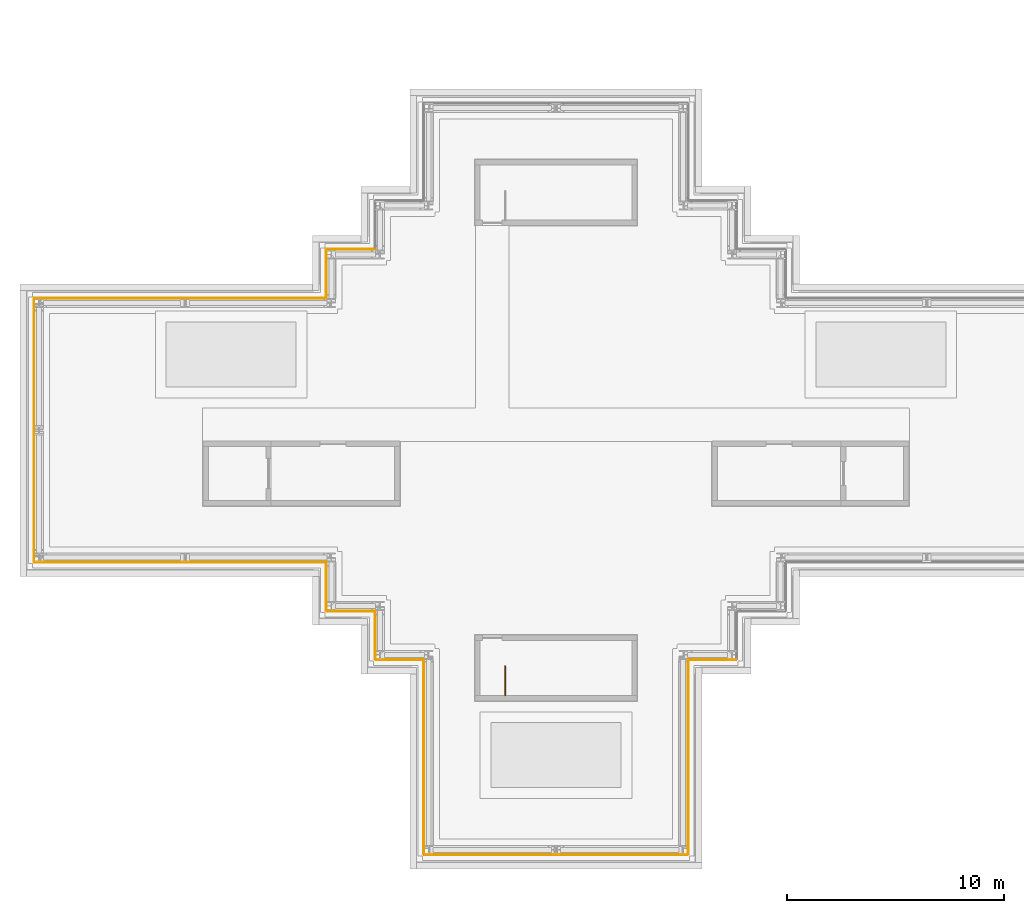
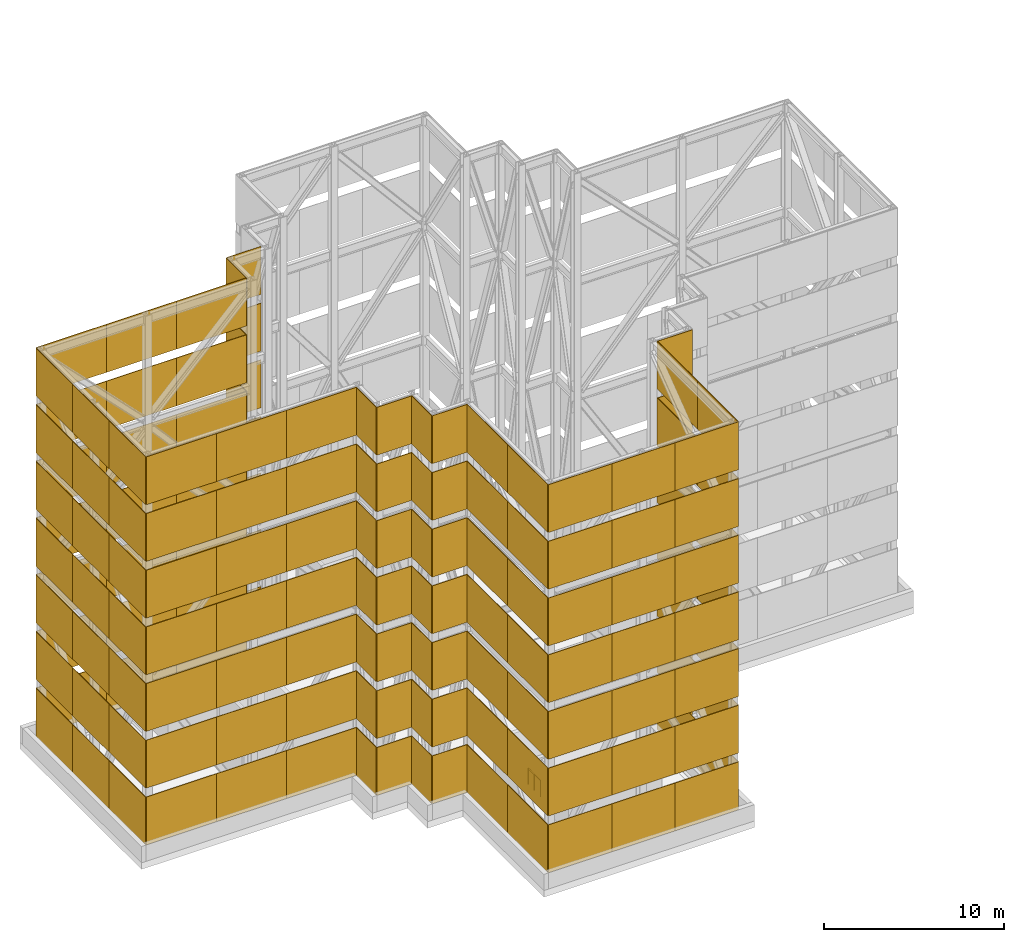
# One storey, part 12 of 19: 161 coverings, 1 railing.
"""IFC4 building model written with IfcOpenShell, lengths in metres."""

from ifc_helpers import new_model, si_unit, direction, frame, origin, origin_2d, place, context, subcontext, project, spatial, rectangle, circle, extrude, material, layer, layer_set, type_object, element, save


model = new_model("IFC4")

# Units and contexts
model_context = context("Model", 3, precision=1e-05, world=origin(), true_north=direction((0.0, 1.0)))
body_context = subcontext(model_context, "Body", "Model", "MODEL_VIEW")
ifc_project = project(units=[si_unit("LENGTHUNIT", "METRE"), si_unit("AREAUNIT", "SQUARE_METRE"), si_unit("VOLUMEUNIT", "CUBIC_METRE"), si_unit("PLANEANGLEUNIT", "RADIAN"), si_unit("MASSUNIT", "GRAM", prefix="KILO")], contexts=[model_context])

# Site, building, storey
site_placement = place(None, origin())
site = spatial("IfcSite", under=ifc_project, at=site_placement, CompositionType="ELEMENT")
building_placement = place(site_placement, origin())
building = spatial("IfcBuilding", under=site, at=building_placement, Name="Shamsa Quay Exchange Towers", CompositionType="ELEMENT")
storey_placement = place(building_placement, frame((0.0, 0.0, 284.300048828125)))
storey = spatial("IfcBuildingStorey", under=building, at=storey_placement, Name="Roof", CompositionType="ELEMENT", Elevation=284.300048828125)

# Coverings
ifc_material_1 = material(Name="Aluminium EN AW-5083, dark bronze anodised, perforated", Category="aluminium")
ifc_layer = layer(ifc_material_1, 0.0400390625)
ifc_layer_set = layer_set([ifc_layer], Name="CROWN SCREEN PANEL 40")
covering_type = type_object("IfcCoveringType", Name="CROWN SCREEN PANEL 40", PredefinedType="CLADDING", material=ifc_layer_set)
for number, where, z_axis, x_axis, name in (
    (1, (-42.10302734375, -9.47900390625, 0.60009765625), (0.0, 0.0, 1.0), (0.0, -1.0, 0.0), "SCREEN T1 CR00 tier 1"),
    (2, (-42.10302734375, -9.47900390625, 4.44287109375), (0.0, 0.0, 1.0), (0.0, -1.0, 0.0), "SCREEN T1 CR00 tier 2"),
    (3, (-42.10302734375, -9.47900390625, 8.28564453125), (0.0, 0.0, 1.0), (0.0, -1.0, 0.0), "SCREEN T1 CR00 tier 3"),
    (4, (-42.10302734375, -9.47900390625, 12.12841796875), (0.0, 0.0, 1.0), (0.0, -1.0, 0.0), "SCREEN T1 CR00 tier 4"),
    (5, (-42.10302734375, -9.47900390625, 15.97119140625), (0.0, 0.0, 1.0), (0.0, -1.0, 0.0), "SCREEN T1 CR00 tier 5"),
    (6, (-42.10302734375, -9.47900390625, 19.81396484375), (0.0, 0.0, 1.0), (0.0, -1.0, 0.0), "SCREEN T1 CR00 tier 6"),
    (7, (-42.10302734375, -9.47900390625, 23.6572265625), (0.0, 0.0, 1.0), (0.0, -1.0, 0.0), "SCREEN T1 CR00 tier 7"),
):
    element("IfcCovering", number, at=place(storey_placement, frame(where, z_axis=z_axis, x_axis=x_axis)), inside=storey, type_object=covering_type, Name=name, PredefinedType="CLADDING", context=body_context, shape_type="SweptSolid", body=[
        extrude(rectangle(XDim=2.2080078125, YDim=0.0400390625, at=origin_2d()), origin(), (0.0, 0.0, 1.0), 3.242919921875),
    ])
for number, where, name in (
    (8, (-40.9580078125, -10.60302734375, 0.60009765625), "SCREEN T1 CR01 tier 1"),
    (9, (-40.9580078125, -10.60302734375, 4.44287109375), "SCREEN T1 CR01 tier 2"),
    (10, (-40.9580078125, -10.60302734375, 8.28564453125), "SCREEN T1 CR01 tier 3"),
    (11, (-40.9580078125, -10.60302734375, 12.12841796875), "SCREEN T1 CR01 tier 4"),
    (12, (-40.9580078125, -10.60302734375, 15.97119140625), "SCREEN T1 CR01 tier 5"),
    (13, (-40.9580078125, -10.60302734375, 19.81396484375), "SCREEN T1 CR01 tier 6"),
    (14, (-40.9580078125, -10.60302734375, 23.6572265625), "SCREEN T1 CR01 tier 7"),
):
    element("IfcCovering", number, at=place(storey_placement, frame(where)), inside=storey, type_object=covering_type, Name=name, PredefinedType="CLADDING", context=body_context, shape_type="SweptSolid", body=[
        extrude(rectangle(XDim=2.25, YDim=0.0400390625, at=origin_2d()), origin(), (0.0, 0.0, 1.0), 3.242919921875),
    ])
for number, where, z_axis, x_axis, name in (
    (15, (-39.85302734375, -12.864501953125, 0.60009765625), (0.0, 0.0, 1.0), (0.0, -1.0, 0.0), "SCREEN T1 CR02 tier 1"),
    (16, (-39.85302734375, -17.343505859375, 0.60009765625), (0.0, 0.0, 1.0), (0.0, -1.0, 0.0), "SCREEN T1 CR02 tier 1"),
    (17, (-39.85302734375, -12.864501953125, 4.44287109375), (0.0, 0.0, 1.0), (0.0, -1.0, 0.0), "SCREEN T1 CR02 tier 2"),
    (18, (-39.85302734375, -17.343505859375, 4.44287109375), (0.0, 0.0, 1.0), (0.0, -1.0, 0.0), "SCREEN T1 CR02 tier 2"),
    (19, (-39.85302734375, -12.864501953125, 8.28564453125), (0.0, 0.0, 1.0), (0.0, -1.0, 0.0), "SCREEN T1 CR02 tier 3"),
    (20, (-39.85302734375, -17.343505859375, 8.28564453125), (0.0, 0.0, 1.0), (0.0, -1.0, 0.0), "SCREEN T1 CR02 tier 3"),
    (21, (-39.85302734375, -12.864501953125, 12.12841796875), (0.0, 0.0, 1.0), (0.0, -1.0, 0.0), "SCREEN T1 CR02 tier 4"),
    (22, (-39.85302734375, -17.343505859375, 12.12841796875), (0.0, 0.0, 1.0), (0.0, -1.0, 0.0), "SCREEN T1 CR02 tier 4"),
    (23, (-39.85302734375, -12.864501953125, 15.97119140625), (0.0, 0.0, 1.0), (0.0, -1.0, 0.0), "SCREEN T1 CR02 tier 5"),
    (24, (-39.85302734375, -17.343505859375, 15.97119140625), (0.0, 0.0, 1.0), (0.0, -1.0, 0.0), "SCREEN T1 CR02 tier 5"),
    (25, (-39.85302734375, -12.864501953125, 19.81396484375), (0.0, 0.0, 1.0), (0.0, -1.0, 0.0), "SCREEN T1 CR02 tier 6"),
    (26, (-39.85302734375, -17.343505859375, 19.81396484375), (0.0, 0.0, 1.0), (0.0, -1.0, 0.0), "SCREEN T1 CR02 tier 6"),
    (27, (-39.85302734375, -12.864501953125, 23.6572265625), (0.0, 0.0, 1.0), (0.0, -1.0, 0.0), "SCREEN T1 CR02 tier 7"),
    (28, (-39.85302734375, -17.343505859375, 23.6572265625), (0.0, 0.0, 1.0), (0.0, -1.0, 0.0), "SCREEN T1 CR02 tier 7"),
):
    element("IfcCovering", number, at=place(storey_placement, frame(where, z_axis=z_axis, x_axis=x_axis)), inside=storey, type_object=covering_type, Name=name, PredefinedType="CLADDING", context=body_context, shape_type="SweptSolid", body=[
        extrude(rectangle(XDim=4.47900390625, YDim=0.0400390625, at=origin_2d()), origin(), (0.0, 0.0, 1.0), 3.242919921875),
    ])
for number, where, name in (
    (29, (-37.805419921875, -19.60302734375, 0.60009765625), "SCREEN T1 CR03 tier 1"),
    (30, (-33.75, -19.60302734375, 0.60009765625), "SCREEN T1 CR03 tier 1"),
    (31, (-29.694580078125, -19.60302734375, 0.60009765625), "SCREEN T1 CR03 tier 1"),
    (32, (-37.805419921875, -19.60302734375, 4.44287109375), "SCREEN T1 CR03 tier 2"),
    (33, (-33.75, -19.60302734375, 4.44287109375), "SCREEN T1 CR03 tier 2"),
    (34, (-29.694580078125, -19.60302734375, 4.44287109375), "SCREEN T1 CR03 tier 2"),
    (35, (-37.805419921875, -19.60302734375, 8.28564453125), "SCREEN T1 CR03 tier 3"),
    (36, (-33.75, -19.60302734375, 8.28564453125), "SCREEN T1 CR03 tier 3"),
    (37, (-29.694580078125, -19.60302734375, 8.28564453125), "SCREEN T1 CR03 tier 3"),
    (38, (-37.805419921875, -19.60302734375, 12.12841796875), "SCREEN T1 CR03 tier 4"),
    (39, (-33.75, -19.60302734375, 12.12841796875), "SCREEN T1 CR03 tier 4"),
    (40, (-29.694580078125, -19.60302734375, 12.12841796875), "SCREEN T1 CR03 tier 4"),
    (41, (-37.805419921875, -19.60302734375, 15.97119140625), "SCREEN T1 CR03 tier 5"),
    (42, (-33.75, -19.60302734375, 15.97119140625), "SCREEN T1 CR03 tier 5"),
    (43, (-29.694580078125, -19.60302734375, 15.97119140625), "SCREEN T1 CR03 tier 5"),
    (44, (-37.805419921875, -19.60302734375, 19.81396484375), "SCREEN T1 CR03 tier 6"),
    (45, (-33.75, -19.60302734375, 19.81396484375), "SCREEN T1 CR03 tier 6"),
    (46, (-29.694580078125, -19.60302734375, 19.81396484375), "SCREEN T1 CR03 tier 6"),
    (47, (-37.805419921875, -19.60302734375, 23.6572265625), "SCREEN T1 CR03 tier 7"),
    (48, (-33.75, -19.60302734375, 23.6572265625), "SCREEN T1 CR03 tier 7"),
    (49, (-29.694580078125, -19.60302734375, 23.6572265625), "SCREEN T1 CR03 tier 7"),
):
    element("IfcCovering", number, at=place(storey_placement, frame(where)), inside=storey, type_object=covering_type, Name=name, PredefinedType="CLADDING", context=body_context, shape_type="SweptSolid", body=[
        extrude(rectangle(XDim=4.055419921875, YDim=0.0400390625, at=origin_2d()), origin(), (0.0, 0.0, 1.0), 3.242919921875),
    ])
for number, where, z_axis, x_axis, name in (
    (50, (-27.64697265625, -17.3330078125, 0.60009765625), (0.0, 0.0, 1.0), (0.0, 1.0, 0.0), "SCREEN T1 CR04 tier 1"),
    (51, (-27.64697265625, -12.8330078125, 0.60009765625), (0.0, 0.0, 1.0), (0.0, 1.0, 0.0), "SCREEN T1 CR04 tier 1"),
    (52, (-27.64697265625, -17.3330078125, 4.44287109375), (0.0, 0.0, 1.0), (0.0, 1.0, 0.0), "SCREEN T1 CR04 tier 2"),
    (53, (-27.64697265625, -12.8330078125, 4.44287109375), (0.0, 0.0, 1.0), (0.0, 1.0, 0.0), "SCREEN T1 CR04 tier 2"),
    (54, (-27.64697265625, -17.3330078125, 8.28564453125), (0.0, 0.0, 1.0), (0.0, 1.0, 0.0), "SCREEN T1 CR04 tier 3"),
    (55, (-27.64697265625, -12.8330078125, 8.28564453125), (0.0, 0.0, 1.0), (0.0, 1.0, 0.0), "SCREEN T1 CR04 tier 3"),
    (56, (-27.64697265625, -17.3330078125, 12.12841796875), (0.0, 0.0, 1.0), (0.0, 1.0, 0.0), "SCREEN T1 CR04 tier 4"),
    (57, (-27.64697265625, -12.8330078125, 12.12841796875), (0.0, 0.0, 1.0), (0.0, 1.0, 0.0), "SCREEN T1 CR04 tier 4"),
    (58, (-27.64697265625, -17.3330078125, 15.97119140625), (0.0, 0.0, 1.0), (0.0, 1.0, 0.0), "SCREEN T1 CR04 tier 5"),
    (59, (-27.64697265625, -12.8330078125, 15.97119140625), (0.0, 0.0, 1.0), (0.0, 1.0, 0.0), "SCREEN T1 CR04 tier 5"),
    (60, (-27.64697265625, -17.3330078125, 19.81396484375), (0.0, 0.0, 1.0), (0.0, 1.0, 0.0), "SCREEN T1 CR04 tier 6"),
    (61, (-27.64697265625, -12.8330078125, 19.81396484375), (0.0, 0.0, 1.0), (0.0, 1.0, 0.0), "SCREEN T1 CR04 tier 6"),
    (62, (-27.64697265625, -17.3330078125, 23.6572265625), (0.0, 0.0, 1.0), (0.0, 1.0, 0.0), "SCREEN T1 CR04 tier 7"),
    (63, (-27.64697265625, -12.8330078125, 23.6572265625), (0.0, 0.0, 1.0), (0.0, 1.0, 0.0), "SCREEN T1 CR04 tier 7"),
):
    element("IfcCovering", number, at=place(storey_placement, frame(where, z_axis=z_axis, x_axis=x_axis)), inside=storey, type_object=covering_type, Name=name, PredefinedType="CLADDING", context=body_context, shape_type="SweptSolid", body=[
        extrude(rectangle(XDim=4.5, YDim=0.0400390625, at=origin_2d()), origin(), (0.0, 0.0, 1.0), 3.242919921875),
    ])
for number, where, name in (
    (64, (-26.52099609375, -10.60302734375, 0.60009765625), "SCREEN T1 CR05 tier 1"),
    (65, (-26.52099609375, -10.60302734375, 4.44287109375), "SCREEN T1 CR05 tier 2"),
    (66, (-26.52099609375, -10.60302734375, 8.28564453125), "SCREEN T1 CR05 tier 3"),
    (67, (-26.52099609375, -10.60302734375, 12.12841796875), "SCREEN T1 CR05 tier 4"),
    (68, (-26.52099609375, -10.60302734375, 15.97119140625), "SCREEN T1 CR05 tier 5"),
    (69, (-26.52099609375, -10.60302734375, 19.81396484375), "SCREEN T1 CR05 tier 6"),
    (70, (-26.52099609375, -10.60302734375, 23.6572265625), "SCREEN T1 CR05 tier 7"),
):
    element("IfcCovering", number, at=place(storey_placement, frame(where)), inside=storey, type_object=covering_type, Name=name, PredefinedType="CLADDING", context=body_context, shape_type="SweptSolid", body=[
        extrude(rectangle(XDim=2.2080078125, YDim=0.0400390625, at=origin_2d()), origin(), (0.0, 0.0, 1.0), 3.242919921875),
    ])
for number, where, z_axis, x_axis, name in (
    (71, (-43.22900390625, 8.35302734375, 0.60009765625), (0.0, 0.0, 1.0), (-1.0, 0.0, 0.0), "SCREEN T1 CR21 tier 1"),
    (72, (-43.22900390625, 8.35302734375, 4.44287109375), (0.0, 0.0, 1.0), (-1.0, 0.0, 0.0), "SCREEN T1 CR21 tier 2"),
    (73, (-43.22900390625, 8.35302734375, 8.28564453125), (0.0, 0.0, 1.0), (-1.0, 0.0, 0.0), "SCREEN T1 CR21 tier 3"),
    (74, (-43.22900390625, 8.35302734375, 12.12841796875), (0.0, 0.0, 1.0), (-1.0, 0.0, 0.0), "SCREEN T1 CR21 tier 4"),
    (75, (-43.22900390625, 8.35302734375, 15.97119140625), (0.0, 0.0, 1.0), (-1.0, 0.0, 0.0), "SCREEN T1 CR21 tier 5"),
    (76, (-43.22900390625, 8.35302734375, 19.81396484375), (0.0, 0.0, 1.0), (-1.0, 0.0, 0.0), "SCREEN T1 CR21 tier 6"),
    (77, (-43.22900390625, 8.35302734375, 23.6572265625), (0.0, 0.0, 1.0), (-1.0, 0.0, 0.0), "SCREEN T1 CR21 tier 7"),
):
    element("IfcCovering", number, at=place(storey_placement, frame(where, z_axis=z_axis, x_axis=x_axis)), inside=storey, type_object=covering_type, Name=name, PredefinedType="CLADDING", context=body_context, shape_type="SweptSolid", body=[
        extrude(rectangle(XDim=2.2080078125, YDim=0.0400390625, at=origin_2d()), origin(), (0.0, 0.0, 1.0), 3.242919921875),
    ])
for number, where, z_axis, x_axis, name in (
    (78, (-44.35302734375, 7.2080078125, 0.60009765625), (0.0, 0.0, 1.0), (0.0, -1.0, 0.0), "SCREEN T1 CR22 tier 1"),
    (79, (-44.35302734375, 7.2080078125, 4.44287109375), (0.0, 0.0, 1.0), (0.0, -1.0, 0.0), "SCREEN T1 CR22 tier 2"),
    (80, (-44.35302734375, 7.2080078125, 8.28564453125), (0.0, 0.0, 1.0), (0.0, -1.0, 0.0), "SCREEN T1 CR22 tier 3"),
    (81, (-44.35302734375, 7.2080078125, 12.12841796875), (0.0, 0.0, 1.0), (0.0, -1.0, 0.0), "SCREEN T1 CR22 tier 4"),
    (82, (-44.35302734375, 7.2080078125, 15.97119140625), (0.0, 0.0, 1.0), (0.0, -1.0, 0.0), "SCREEN T1 CR22 tier 5"),
    (83, (-44.35302734375, 7.2080078125, 19.81396484375), (0.0, 0.0, 1.0), (0.0, -1.0, 0.0), "SCREEN T1 CR22 tier 6"),
    (84, (-44.35302734375, 7.2080078125, 23.6572265625), (0.0, 0.0, 1.0), (0.0, -1.0, 0.0), "SCREEN T1 CR22 tier 7"),
):
    element("IfcCovering", number, at=place(storey_placement, frame(where, z_axis=z_axis, x_axis=x_axis)), inside=storey, type_object=covering_type, Name=name, PredefinedType="CLADDING", context=body_context, shape_type="SweptSolid", body=[
        extrude(rectangle(XDim=2.25, YDim=0.0400390625, at=origin_2d()), origin(), (0.0, 0.0, 1.0), 3.242919921875),
    ])
for number, where, z_axis, x_axis, name in (
    (85, (-46.6181640625, 6.10302734375, 0.60009765625), (0.0, 0.0, 1.0), (-1.0, 0.0, 0.0), "SCREEN T1 CR23 tier 1"),
    (86, (-51.10400390625, 6.10302734375, 0.60009765625), (0.0, 0.0, 1.0), (-1.0, 0.0, 0.0), "SCREEN T1 CR23 tier 1"),
    (87, (-55.590087890625, 6.10302734375, 0.60009765625), (0.0, 0.0, 1.0), (-1.0, 0.0, 0.0), "SCREEN T1 CR23 tier 1"),
    (88, (-46.6181640625, 6.10302734375, 4.44287109375), (0.0, 0.0, 1.0), (-1.0, 0.0, 0.0), "SCREEN T1 CR23 tier 2"),
    (89, (-51.10400390625, 6.10302734375, 4.44287109375), (0.0, 0.0, 1.0), (-1.0, 0.0, 0.0), "SCREEN T1 CR23 tier 2"),
    (90, (-55.590087890625, 6.10302734375, 4.44287109375), (0.0, 0.0, 1.0), (-1.0, 0.0, 0.0), "SCREEN T1 CR23 tier 2"),
    (91, (-46.6181640625, 6.10302734375, 8.28564453125), (0.0, 0.0, 1.0), (-1.0, 0.0, 0.0), "SCREEN T1 CR23 tier 3"),
    (92, (-51.10400390625, 6.10302734375, 8.28564453125), (0.0, 0.0, 1.0), (-1.0, 0.0, 0.0), "SCREEN T1 CR23 tier 3"),
    (93, (-55.590087890625, 6.10302734375, 8.28564453125), (0.0, 0.0, 1.0), (-1.0, 0.0, 0.0), "SCREEN T1 CR23 tier 3"),
    (94, (-46.6181640625, 6.10302734375, 12.12841796875), (0.0, 0.0, 1.0), (-1.0, 0.0, 0.0), "SCREEN T1 CR23 tier 4"),
    (95, (-51.10400390625, 6.10302734375, 12.12841796875), (0.0, 0.0, 1.0), (-1.0, 0.0, 0.0), "SCREEN T1 CR23 tier 4"),
    (96, (-55.590087890625, 6.10302734375, 12.12841796875), (0.0, 0.0, 1.0), (-1.0, 0.0, 0.0), "SCREEN T1 CR23 tier 4"),
    (97, (-46.6181640625, 6.10302734375, 15.97119140625), (0.0, 0.0, 1.0), (-1.0, 0.0, 0.0), "SCREEN T1 CR23 tier 5"),
    (98, (-51.10400390625, 6.10302734375, 15.97119140625), (0.0, 0.0, 1.0), (-1.0, 0.0, 0.0), "SCREEN T1 CR23 tier 5"),
    (99, (-55.590087890625, 6.10302734375, 15.97119140625), (0.0, 0.0, 1.0), (-1.0, 0.0, 0.0), "SCREEN T1 CR23 tier 5"),
    (100, (-46.6181640625, 6.10302734375, 19.81396484375), (0.0, 0.0, 1.0), (-1.0, 0.0, 0.0), "SCREEN T1 CR23 tier 6"),
    (101, (-51.10400390625, 6.10302734375, 19.81396484375), (0.0, 0.0, 1.0), (-1.0, 0.0, 0.0), "SCREEN T1 CR23 tier 6"),
    (102, (-55.590087890625, 6.10302734375, 19.81396484375), (0.0, 0.0, 1.0), (-1.0, 0.0, 0.0), "SCREEN T1 CR23 tier 6"),
    (103, (-46.6181640625, 6.10302734375, 23.6572265625), (0.0, 0.0, 1.0), (-1.0, 0.0, 0.0), "SCREEN T1 CR23 tier 7"),
    (104, (-51.10400390625, 6.10302734375, 23.6572265625), (0.0, 0.0, 1.0), (-1.0, 0.0, 0.0), "SCREEN T1 CR23 tier 7"),
    (105, (-55.590087890625, 6.10302734375, 23.6572265625), (0.0, 0.0, 1.0), (-1.0, 0.0, 0.0), "SCREEN T1 CR23 tier 7"),
):
    element("IfcCovering", number, at=place(storey_placement, frame(where, z_axis=z_axis, x_axis=x_axis)), inside=storey, type_object=covering_type, Name=name, PredefinedType="CLADDING", context=body_context, shape_type="SweptSolid", body=[
        extrude(rectangle(XDim=4.486083984375, YDim=0.0400390625, at=origin_2d()), origin(), (0.0, 0.0, 1.0), 3.242919921875),
    ])
for number, where, z_axis, x_axis, name in (
    (106, (-57.85302734375, 4.055419921875, 0.60009765625), (0.0, 0.0, 1.0), (0.0, -1.0, 0.0), "SCREEN T1 CR24 tier 1"),
    (107, (-57.85302734375, 0.0, 0.60009765625), (0.0, 0.0, 1.0), (0.0, -1.0, 0.0), "SCREEN T1 CR24 tier 1"),
    (108, (-57.85302734375, -4.055419921875, 0.60009765625), (0.0, 0.0, 1.0), (0.0, -1.0, 0.0), "SCREEN T1 CR24 tier 1"),
    (109, (-57.85302734375, 4.055419921875, 4.44287109375), (0.0, 0.0, 1.0), (0.0, -1.0, 0.0), "SCREEN T1 CR24 tier 2"),
    (110, (-57.85302734375, 0.0, 4.44287109375), (0.0, 0.0, 1.0), (0.0, -1.0, 0.0), "SCREEN T1 CR24 tier 2"),
    (111, (-57.85302734375, -4.055419921875, 4.44287109375), (0.0, 0.0, 1.0), (0.0, -1.0, 0.0), "SCREEN T1 CR24 tier 2"),
    (112, (-57.85302734375, 4.055419921875, 8.28564453125), (0.0, 0.0, 1.0), (0.0, -1.0, 0.0), "SCREEN T1 CR24 tier 3"),
    (113, (-57.85302734375, 0.0, 8.28564453125), (0.0, 0.0, 1.0), (0.0, -1.0, 0.0), "SCREEN T1 CR24 tier 3"),
    (114, (-57.85302734375, -4.055419921875, 8.28564453125), (0.0, 0.0, 1.0), (0.0, -1.0, 0.0), "SCREEN T1 CR24 tier 3"),
    (115, (-57.85302734375, 4.055419921875, 12.12841796875), (0.0, 0.0, 1.0), (0.0, -1.0, 0.0), "SCREEN T1 CR24 tier 4"),
    (116, (-57.85302734375, 0.0, 12.12841796875), (0.0, 0.0, 1.0), (0.0, -1.0, 0.0), "SCREEN T1 CR24 tier 4"),
    (117, (-57.85302734375, -4.055419921875, 12.12841796875), (0.0, 0.0, 1.0), (0.0, -1.0, 0.0), "SCREEN T1 CR24 tier 4"),
    (118, (-57.85302734375, 4.055419921875, 15.97119140625), (0.0, 0.0, 1.0), (0.0, -1.0, 0.0), "SCREEN T1 CR24 tier 5"),
    (119, (-57.85302734375, 0.0, 15.97119140625), (0.0, 0.0, 1.0), (0.0, -1.0, 0.0), "SCREEN T1 CR24 tier 5"),
    (120, (-57.85302734375, -4.055419921875, 15.97119140625), (0.0, 0.0, 1.0), (0.0, -1.0, 0.0), "SCREEN T1 CR24 tier 5"),
    (121, (-57.85302734375, 4.055419921875, 19.81396484375), (0.0, 0.0, 1.0), (0.0, -1.0, 0.0), "SCREEN T1 CR24 tier 6"),
    (122, (-57.85302734375, 0.0, 19.81396484375), (0.0, 0.0, 1.0), (0.0, -1.0, 0.0), "SCREEN T1 CR24 tier 6"),
    (123, (-57.85302734375, -4.055419921875, 19.81396484375), (0.0, 0.0, 1.0), (0.0, -1.0, 0.0), "SCREEN T1 CR24 tier 6"),
    (124, (-57.85302734375, 4.055419921875, 23.6572265625), (0.0, 0.0, 1.0), (0.0, -1.0, 0.0), "SCREEN T1 CR24 tier 7"),
    (125, (-57.85302734375, 0.0, 23.6572265625), (0.0, 0.0, 1.0), (0.0, -1.0, 0.0), "SCREEN T1 CR24 tier 7"),
    (126, (-57.85302734375, -4.055419921875, 23.6572265625), (0.0, 0.0, 1.0), (0.0, -1.0, 0.0), "SCREEN T1 CR24 tier 7"),
):
    element("IfcCovering", number, at=place(storey_placement, frame(where, z_axis=z_axis, x_axis=x_axis)), inside=storey, type_object=covering_type, Name=name, PredefinedType="CLADDING", context=body_context, shape_type="SweptSolid", body=[
        extrude(rectangle(XDim=4.055419921875, YDim=0.0400390625, at=origin_2d()), origin(), (0.0, 0.0, 1.0), 3.242919921875),
    ])
for number, where, name in (
    (127, (-55.5830078125, -6.10302734375, 0.60009765625), "SCREEN T1 CR25 tier 1"),
    (128, (-51.0830078125, -6.10302734375, 0.60009765625), "SCREEN T1 CR25 tier 1"),
    (129, (-46.5830078125, -6.10302734375, 0.60009765625), "SCREEN T1 CR25 tier 1"),
    (130, (-55.5830078125, -6.10302734375, 4.44287109375), "SCREEN T1 CR25 tier 2"),
    (131, (-51.0830078125, -6.10302734375, 4.44287109375), "SCREEN T1 CR25 tier 2"),
    (132, (-46.5830078125, -6.10302734375, 4.44287109375), "SCREEN T1 CR25 tier 2"),
    (133, (-55.5830078125, -6.10302734375, 8.28564453125), "SCREEN T1 CR25 tier 3"),
    (134, (-51.0830078125, -6.10302734375, 8.28564453125), "SCREEN T1 CR25 tier 3"),
    (135, (-46.5830078125, -6.10302734375, 8.28564453125), "SCREEN T1 CR25 tier 3"),
    (136, (-55.5830078125, -6.10302734375, 12.12841796875), "SCREEN T1 CR25 tier 4"),
    (137, (-51.0830078125, -6.10302734375, 12.12841796875), "SCREEN T1 CR25 tier 4"),
    (138, (-46.5830078125, -6.10302734375, 12.12841796875), "SCREEN T1 CR25 tier 4"),
    (139, (-55.5830078125, -6.10302734375, 15.97119140625), "SCREEN T1 CR25 tier 5"),
    (140, (-51.0830078125, -6.10302734375, 15.97119140625), "SCREEN T1 CR25 tier 5"),
    (141, (-46.5830078125, -6.10302734375, 15.97119140625), "SCREEN T1 CR25 tier 5"),
    (142, (-55.5830078125, -6.10302734375, 19.81396484375), "SCREEN T1 CR25 tier 6"),
    (143, (-51.0830078125, -6.10302734375, 19.81396484375), "SCREEN T1 CR25 tier 6"),
    (144, (-46.5830078125, -6.10302734375, 19.81396484375), "SCREEN T1 CR25 tier 6"),
    (145, (-55.5830078125, -6.10302734375, 23.6572265625), "SCREEN T1 CR25 tier 7"),
    (146, (-51.0830078125, -6.10302734375, 23.6572265625), "SCREEN T1 CR25 tier 7"),
    (147, (-46.5830078125, -6.10302734375, 23.6572265625), "SCREEN T1 CR25 tier 7"),
):
    element("IfcCovering", number, at=place(storey_placement, frame(where)), inside=storey, type_object=covering_type, Name=name, PredefinedType="CLADDING", context=body_context, shape_type="SweptSolid", body=[
        extrude(rectangle(XDim=4.5, YDim=0.0400390625, at=origin_2d()), origin(), (0.0, 0.0, 1.0), 3.242919921875),
    ])
for number, where, z_axis, x_axis, name in (
    (148, (-44.35302734375, -7.22900390625, 0.60009765625), (0.0, 0.0, 1.0), (0.0, -1.0, 0.0), "SCREEN T1 CR26 tier 1"),
    (149, (-44.35302734375, -7.22900390625, 4.44287109375), (0.0, 0.0, 1.0), (0.0, -1.0, 0.0), "SCREEN T1 CR26 tier 2"),
    (150, (-44.35302734375, -7.22900390625, 8.28564453125), (0.0, 0.0, 1.0), (0.0, -1.0, 0.0), "SCREEN T1 CR26 tier 3"),
    (151, (-44.35302734375, -7.22900390625, 12.12841796875), (0.0, 0.0, 1.0), (0.0, -1.0, 0.0), "SCREEN T1 CR26 tier 4"),
    (152, (-44.35302734375, -7.22900390625, 15.97119140625), (0.0, 0.0, 1.0), (0.0, -1.0, 0.0), "SCREEN T1 CR26 tier 5"),
    (153, (-44.35302734375, -7.22900390625, 19.81396484375), (0.0, 0.0, 1.0), (0.0, -1.0, 0.0), "SCREEN T1 CR26 tier 6"),
    (154, (-44.35302734375, -7.22900390625, 23.6572265625), (0.0, 0.0, 1.0), (0.0, -1.0, 0.0), "SCREEN T1 CR26 tier 7"),
):
    element("IfcCovering", number, at=place(storey_placement, frame(where, z_axis=z_axis, x_axis=x_axis)), inside=storey, type_object=covering_type, Name=name, PredefinedType="CLADDING", context=body_context, shape_type="SweptSolid", body=[
        extrude(rectangle(XDim=2.2080078125, YDim=0.0400390625, at=origin_2d()), origin(), (0.0, 0.0, 1.0), 3.242919921875),
    ])
for number, where, name in (
    (155, (-43.2080078125, -8.35302734375, 0.60009765625), "SCREEN T1 CR27 tier 1"),
    (156, (-43.2080078125, -8.35302734375, 4.44287109375), "SCREEN T1 CR27 tier 2"),
    (157, (-43.2080078125, -8.35302734375, 8.28564453125), "SCREEN T1 CR27 tier 3"),
    (158, (-43.2080078125, -8.35302734375, 12.12841796875), "SCREEN T1 CR27 tier 4"),
    (159, (-43.2080078125, -8.35302734375, 15.97119140625), "SCREEN T1 CR27 tier 5"),
    (160, (-43.2080078125, -8.35302734375, 19.81396484375), "SCREEN T1 CR27 tier 6"),
    (161, (-43.2080078125, -8.35302734375, 23.6572265625), "SCREEN T1 CR27 tier 7"),
):
    element("IfcCovering", number, at=place(storey_placement, frame(where)), inside=storey, type_object=covering_type, Name=name, PredefinedType="CLADDING", context=body_context, shape_type="SweptSolid", body=[
        extrude(rectangle(XDim=2.25, YDim=0.0400390625, at=origin_2d()), origin(), (0.0, 0.0, 1.0), 3.242919921875),
    ])

# Railing
ifc_material_2 = material(Name="Stainless steel", Category="steel")
railing_type = type_object("IfcRailingType", Name="STAIR GUARD 1100", PredefinedType="GUARDRAIL", material=ifc_material_2)
railing_placement = place(storey_placement, frame((-36.10009765625, -12.25, 0.0)))
element("IfcRailing", 162, at=railing_placement, inside=storey, type_object=railing_type, Name="Roof RS2 top well guard 1", PredefinedType="GUARDRAIL", context=body_context, shape_type="SweptSolid", body=[
    extrude(circle(Radius=0.02392578125, at=origin_2d()), frame((0.0, 0.0, 1.076171875), z_axis=(0.0, 1.0, 0.0), x_axis=(-1.0, 0.0, 0.0)), (0.0, 0.0, 1.0), 1.35009765625),
    extrude(circle(Radius=0.02099609375, at=origin_2d()), origin(), (0.0, 0.0, 1.0), 1.052001953125),
    extrude(circle(Radius=0.02099609375, at=origin_2d()), frame((0.0, 0.675048828125, 0.0)), (0.0, 0.0, 1.0), 1.052001953125),
    extrude(circle(Radius=0.02099609375, at=origin_2d()), frame((0.0, 1.35009765625, 0.0)), (0.0, 0.0, 1.0), 1.052001953125),
])

save(model, "model.ifc")
